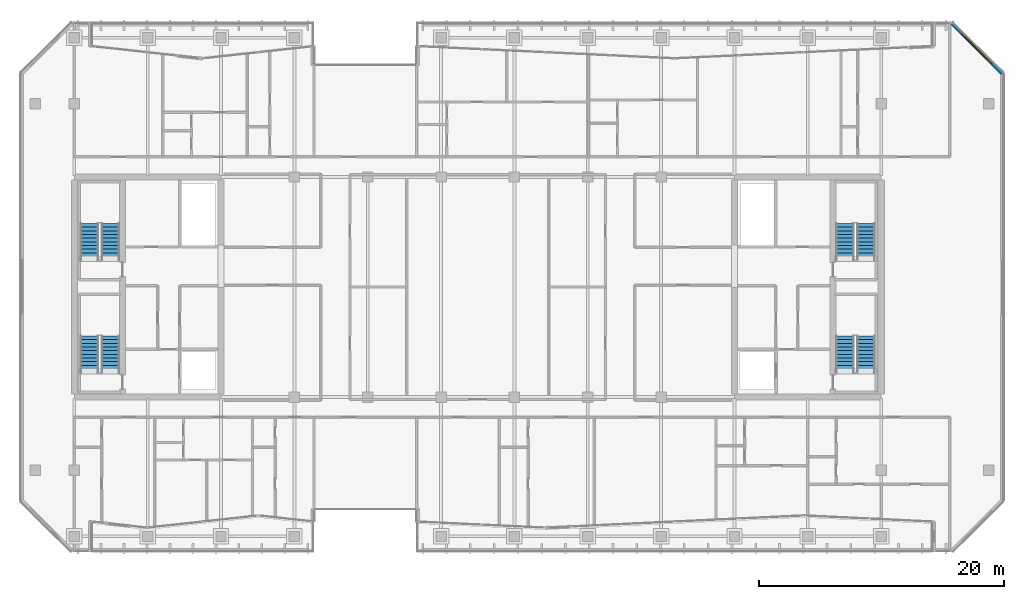
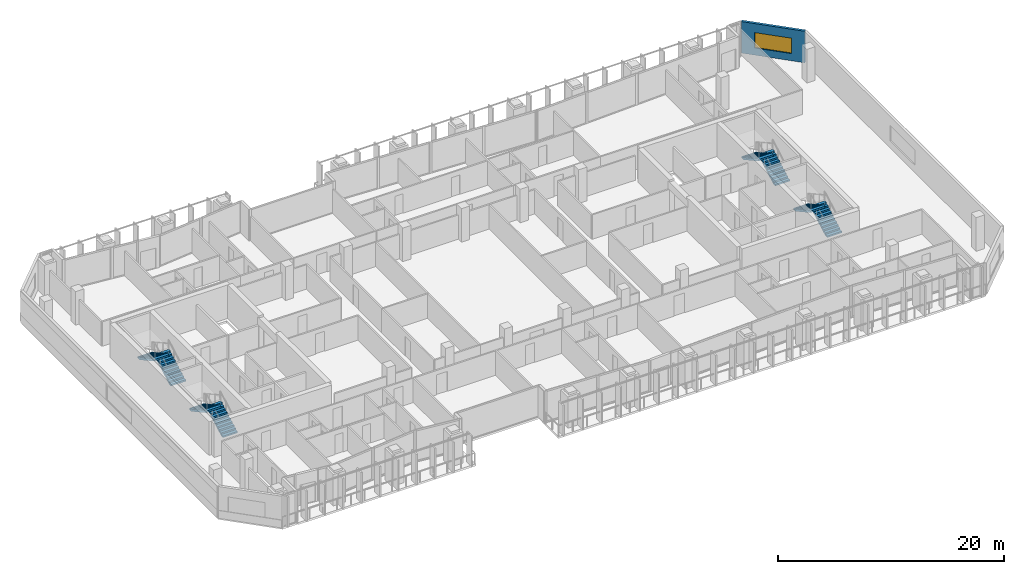
# One storey, part 23 of 28: 8 stair flights, 1 wall, 1 window, 1 opening, 4 elements without a shape of their own.
"""IFC4 building model written with IfcOpenShell, lengths in metres."""

from ifc_helpers import new_model, si_unit, direction, frame, frame_2d, origin, place, context, subcontext, project, spatial, polyline, rectangle, outline, extrude, material, layer, layer_set, type_object, element, fill, aggregate, save


model = new_model("IFC4")

# Units and contexts
model_context = context("Model", 3, precision=1e-05, world=origin(), true_north=direction((0.0, 1.0)))
body_context = subcontext(model_context, "Body", "Model", "MODEL_VIEW")
ifc_project = project(units=[si_unit("LENGTHUNIT", "METRE"), si_unit("AREAUNIT", "SQUARE_METRE"), si_unit("VOLUMEUNIT", "CUBIC_METRE"), si_unit("PLANEANGLEUNIT", "RADIAN"), si_unit("MASSUNIT", "GRAM", prefix="KILO")], contexts=[model_context])

# Site, building, storey
site_placement = place(None, origin())
site = spatial("IfcSite", under=ifc_project, at=site_placement, CompositionType="ELEMENT")
building_placement = place(site_placement, origin())
building = spatial("IfcBuilding", under=site, at=building_placement, Name="Tanjung Sevakor Pilgrim Tower", CompositionType="ELEMENT")
storey_placement = place(building_placement, frame((0.0, 0.0, 158.39990234375)))
storey = spatial("IfcBuildingStorey", under=building, at=storey_placement, Name="L44", CompositionType="ELEMENT", Elevation=158.39990234375)

# Wall, opening, window
ifc_material_1 = material(Name="Precast concrete C45/55", Category="concrete")
ifc_layer = layer(ifc_material_1, 0.25)
ifc_layer_set = layer_set([ifc_layer], Name="WT-EW-STN3")
wall_type = type_object("IfcWallType", Name="WT-EW-STN3", PredefinedType="SOLIDWALL", material=ifc_layer_set)
wall_placement = place(storey_placement, frame((99.875, 51.048095703125, 0.0), z_axis=(0.0, 0.0, 1.0), x_axis=(-0.70708586489, 0.707127696864, 0.0)))
wall = element("IfcWall", 1, at=wall_placement, inside=storey, type_object=wall_type, Name="L44 MAIN Sculpted Corner Wall 17", PredefinedType="SOLIDWALL", context=body_context, shape_type="SweptSolid", body=[
    extrude(rectangle(XDim=5.836181640625, YDim=0.25, at=frame_2d((2.91796875, 0.0))), origin(), (0.0, 0.0, 1.0), 3.409912109375),
])
opening_placement = place(wall_placement, frame((1.218017578125, 0.0, 0.780029296875)))
opening = element("IfcOpeningElement", 2, at=opening_placement, cuts=wall, Name="Opening WN-CHM-1660", PredefinedType="OPENING", context=body_context, shape_type="SweptSolid", body=[
    extrude(rectangle(XDim=3.39990234375, YDim=1.659912109375, at=frame_2d((1.699951171875, 0.830078125))), frame((0.0, 0.135009765625, 0.0), z_axis=(0.0, -1.0, 0.0), x_axis=(1.0, 0.0, 0.0)), (0.0, 0.0, 1.0), 0.27001953125),
])
ifc_material_2 = material(Name="Thermally Broken Aluminium and Low-E Glass", Category="aluminium")
window_type = type_object("IfcWindowType", Name="WTYP-WN-CHM-1660", PartitioningType="DOUBLE_PANEL_VERTICAL", PredefinedType="WINDOW", material=ifc_material_2)
window_placement = place(opening_placement, origin())
window = element("IfcWindow", 3, at=window_placement, inside=storey, type_object=window_type, Name="L44 Facade Window 01", OverallHeight=1.659912109375, OverallWidth=3.39990234375, PartitioningType="SINGLE_PANEL", PredefinedType="WINDOW", context=body_context, shape_type="SweptSolid", body=[
    extrude(rectangle(XDim=3.39990234375, YDim=1.659912109375, at=frame_2d((1.699951171875, 0.830078125))), frame((0.0, 0.030029296875, 0.0), z_axis=(0.0, -1.0, 0.0), x_axis=(1.0, 0.0, 0.0)), (0.0, 0.0, 1.0), 0.06005859375),
])
fill(opening, window)

# Stair, stair flights
ifc_material_3 = material(Name="Concrete C40/50", Category="concrete")
stair_type = type_object("IfcStairType", Name="STAIR-ST-CR150", PredefinedType="HALF_TURN_STAIR", material=ifc_material_3)
stair_1_placement = place(storey_placement, origin())
stair_1 = element("IfcStair", 4, at=stair_1_placement, inside=storey, type_object=stair_type, Name="L44 West Core Exit Stair 1", PredefinedType="HALF_TURN_STAIR")
ifc_material_4 = material(Name="Concrete C40/50", Category="concrete")
stair_flight_type = type_object("IfcStairFlightType", Name="FLIGHT-ST-CR150", PredefinedType="STRAIGHT", material=ifc_material_4)
stair_flight_1_placement = place(storey_placement, frame((26.949951171875, 26.60009765625, 0.0), z_axis=(0.0, 0.0, 1.0), x_axis=(0.0, 1.0, 0.0)))
stair_flight_1 = element("IfcStairFlight", 5, at=stair_flight_1_placement, type_object=stair_flight_type, Name="TS-W1 flight 1", NumberOfRisers=11, NumberOfTreads=10, PredefinedType="STRAIGHT", RiserHeight=0.165, TreadLength=0.3, context=body_context, shape_type="SweptSolid", body=[
    extrude(outline(polyline([(0.0, 0.0), (0.0, 0.1650390625), (0.300048828125, 0.1650390625), (0.300048828125, 0.330078125), (0.60009765625, 0.330078125), (0.60009765625, 0.4951171875), (0.89990234375, 0.4951171875), (0.89990234375, 0.659912109375), (1.199951171875, 0.659912109375), (1.199951171875, 0.824951171875), (1.5, 0.824951171875), (1.5, 0.989990234375), (1.800048828125, 0.989990234375), (1.800048828125, 1.155029296875), (2.10009765625, 1.155029296875), (2.10009765625, 1.320068359375), (2.39990234375, 1.320068359375), (2.39990234375, 1.485107421875), (2.699951171875, 1.485107421875), (2.699951171875, 1.64990234375), (3.0, 1.64990234375), (3.0, 1.81494140625), (3.0, 1.467529296875), (0.331787109375, 0.0), (0.0, 0.0)])), frame((0.0, 0.75, 0.0), z_axis=(0.0, -1.0, 0.0), x_axis=(1.0, 0.0, 0.0)), (0.0, 0.0, 1.0), 1.5),
])
stair_flight_2_placement = place(storey_placement, frame((25.25, 29.60009765625, 1.815185546875), z_axis=(0.0, 0.0, 1.0), x_axis=(0.0, -1.0, 0.0)))
stair_flight_2 = element("IfcStairFlight", 6, at=stair_flight_2_placement, type_object=stair_flight_type, Name="TS-W1 flight 2", NumberOfRisers=11, NumberOfTreads=10, PredefinedType="STRAIGHT", RiserHeight=0.165, TreadLength=0.3, context=body_context, shape_type="SweptSolid", body=[
    extrude(outline(polyline([(0.0, 0.0), (0.0, 0.1650390625), (0.300048828125, 0.1650390625), (0.300048828125, 0.330078125), (0.60009765625, 0.330078125), (0.60009765625, 0.4951171875), (0.89990234375, 0.4951171875), (0.89990234375, 0.659912109375), (1.199951171875, 0.659912109375), (1.199951171875, 0.824951171875), (1.5, 0.824951171875), (1.5, 0.989990234375), (1.800048828125, 0.989990234375), (1.800048828125, 1.155029296875), (2.10009765625, 1.155029296875), (2.10009765625, 1.320068359375), (2.39990234375, 1.320068359375), (2.39990234375, 1.485107421875), (2.699951171875, 1.485107421875), (2.699951171875, 1.64990234375), (3.0, 1.64990234375), (3.0, 1.81494140625), (3.0, 1.467529296875), (0.331787109375, 0.0), (0.0, 0.0)])), frame((0.0, 0.75, 0.0), z_axis=(0.0, -1.0, 0.0), x_axis=(1.0, 0.0, 0.0)), (0.0, 0.0, 1.0), 1.5),
])
aggregate(stair_1, [stair_flight_1, stair_flight_2])

stair_2_placement = place(storey_placement, origin())
stair_2 = element("IfcStair", 7, at=stair_2_placement, inside=storey, type_object=stair_type, Name="L44 West Core Exit Stair 2", PredefinedType="HALF_TURN_STAIR")
stair_flight_3_placement = place(storey_placement, frame((26.949951171875, 35.800048828125, 0.0), z_axis=(0.0, 0.0, 1.0), x_axis=(0.0, 1.0, 0.0)))
stair_flight_3 = element("IfcStairFlight", 8, at=stair_flight_3_placement, type_object=stair_flight_type, Name="TS-W2 flight 1", NumberOfRisers=11, NumberOfTreads=10, PredefinedType="STRAIGHT", RiserHeight=0.165, TreadLength=0.3, context=body_context, shape_type="SweptSolid", body=[
    extrude(outline(polyline([(0.0, 0.0), (0.0, 0.1650390625), (0.300048828125, 0.1650390625), (0.300048828125, 0.330078125), (0.60009765625, 0.330078125), (0.60009765625, 0.4951171875), (0.89990234375, 0.4951171875), (0.89990234375, 0.659912109375), (1.199951171875, 0.659912109375), (1.199951171875, 0.824951171875), (1.5, 0.824951171875), (1.5, 0.989990234375), (1.800048828125, 0.989990234375), (1.800048828125, 1.155029296875), (2.10009765625, 1.155029296875), (2.10009765625, 1.320068359375), (2.39990234375, 1.320068359375), (2.39990234375, 1.485107421875), (2.699951171875, 1.485107421875), (2.699951171875, 1.64990234375), (3.0, 1.64990234375), (3.0, 1.81494140625), (3.0, 1.467529296875), (0.331787109375, 0.0), (0.0, 0.0)])), frame((0.0, 0.75, 0.0), z_axis=(0.0, -1.0, 0.0), x_axis=(1.0, 0.0, 0.0)), (0.0, 0.0, 1.0), 1.5),
])
stair_flight_4_placement = place(storey_placement, frame((25.25, 38.800048828125, 1.815185546875), z_axis=(0.0, 0.0, 1.0), x_axis=(0.0, -1.0, 0.0)))
stair_flight_4 = element("IfcStairFlight", 9, at=stair_flight_4_placement, type_object=stair_flight_type, Name="TS-W2 flight 2", NumberOfRisers=11, NumberOfTreads=10, PredefinedType="STRAIGHT", RiserHeight=0.165, TreadLength=0.3, context=body_context, shape_type="SweptSolid", body=[
    extrude(outline(polyline([(0.0, 0.0), (0.0, 0.1650390625), (0.300048828125, 0.1650390625), (0.300048828125, 0.330078125), (0.60009765625, 0.330078125), (0.60009765625, 0.4951171875), (0.89990234375, 0.4951171875), (0.89990234375, 0.659912109375), (1.199951171875, 0.659912109375), (1.199951171875, 0.824951171875), (1.5, 0.824951171875), (1.5, 0.989990234375), (1.800048828125, 0.989990234375), (1.800048828125, 1.155029296875), (2.10009765625, 1.155029296875), (2.10009765625, 1.320068359375), (2.39990234375, 1.320068359375), (2.39990234375, 1.485107421875), (2.699951171875, 1.485107421875), (2.699951171875, 1.64990234375), (3.0, 1.64990234375), (3.0, 1.81494140625), (3.0, 1.467529296875), (0.331787109375, 0.0), (0.0, 0.0)])), frame((0.0, 0.75, 0.0), z_axis=(0.0, -1.0, 0.0), x_axis=(1.0, 0.0, 0.0)), (0.0, 0.0, 1.0), 1.5),
])
aggregate(stair_2, [stair_flight_3, stair_flight_4])

stair_3_placement = place(storey_placement, origin())
stair_3 = element("IfcStair", 10, at=stair_3_placement, inside=storey, type_object=stair_type, Name="L44 East Core Exit Stair 1", PredefinedType="HALF_TURN_STAIR")
stair_flight_5_placement = place(storey_placement, frame((88.75, 26.60009765625, 0.0), z_axis=(0.0, 0.0, 1.0), x_axis=(0.0, 1.0, 0.0)))
stair_flight_5 = element("IfcStairFlight", 11, at=stair_flight_5_placement, type_object=stair_flight_type, Name="TS-E1 flight 1", NumberOfRisers=11, NumberOfTreads=10, PredefinedType="STRAIGHT", RiserHeight=0.165, TreadLength=0.3, context=body_context, shape_type="SweptSolid", body=[
    extrude(outline(polyline([(0.0, 0.0), (0.0, 0.1650390625), (0.300048828125, 0.1650390625), (0.300048828125, 0.330078125), (0.60009765625, 0.330078125), (0.60009765625, 0.4951171875), (0.89990234375, 0.4951171875), (0.89990234375, 0.659912109375), (1.199951171875, 0.659912109375), (1.199951171875, 0.824951171875), (1.5, 0.824951171875), (1.5, 0.989990234375), (1.800048828125, 0.989990234375), (1.800048828125, 1.155029296875), (2.10009765625, 1.155029296875), (2.10009765625, 1.320068359375), (2.39990234375, 1.320068359375), (2.39990234375, 1.485107421875), (2.699951171875, 1.485107421875), (2.699951171875, 1.64990234375), (3.0, 1.64990234375), (3.0, 1.81494140625), (3.0, 1.467529296875), (0.331787109375, 0.0), (0.0, 0.0)])), frame((0.0, 0.75, 0.0), z_axis=(0.0, -1.0, 0.0), x_axis=(1.0, 0.0, 0.0)), (0.0, 0.0, 1.0), 1.5),
])
stair_flight_6_placement = place(storey_placement, frame((87.050048828125, 29.60009765625, 1.815185546875), z_axis=(0.0, 0.0, 1.0), x_axis=(0.0, -1.0, 0.0)))
stair_flight_6 = element("IfcStairFlight", 12, at=stair_flight_6_placement, type_object=stair_flight_type, Name="TS-E1 flight 2", NumberOfRisers=11, NumberOfTreads=10, PredefinedType="STRAIGHT", RiserHeight=0.165, TreadLength=0.3, context=body_context, shape_type="SweptSolid", body=[
    extrude(outline(polyline([(0.0, 0.0), (0.0, 0.1650390625), (0.300048828125, 0.1650390625), (0.300048828125, 0.330078125), (0.60009765625, 0.330078125), (0.60009765625, 0.4951171875), (0.89990234375, 0.4951171875), (0.89990234375, 0.659912109375), (1.199951171875, 0.659912109375), (1.199951171875, 0.824951171875), (1.5, 0.824951171875), (1.5, 0.989990234375), (1.800048828125, 0.989990234375), (1.800048828125, 1.155029296875), (2.10009765625, 1.155029296875), (2.10009765625, 1.320068359375), (2.39990234375, 1.320068359375), (2.39990234375, 1.485107421875), (2.699951171875, 1.485107421875), (2.699951171875, 1.64990234375), (3.0, 1.64990234375), (3.0, 1.81494140625), (3.0, 1.467529296875), (0.331787109375, 0.0), (0.0, 0.0)])), frame((0.0, 0.75, 0.0), z_axis=(0.0, -1.0, 0.0), x_axis=(1.0, 0.0, 0.0)), (0.0, 0.0, 1.0), 1.5),
])
aggregate(stair_3, [stair_flight_5, stair_flight_6])

stair_4_placement = place(storey_placement, origin())
stair_4 = element("IfcStair", 13, at=stair_4_placement, inside=storey, type_object=stair_type, Name="L44 East Core Exit Stair 2", PredefinedType="HALF_TURN_STAIR")
stair_flight_7_placement = place(storey_placement, frame((88.75, 35.800048828125, 0.0), z_axis=(0.0, 0.0, 1.0), x_axis=(0.0, 1.0, 0.0)))
stair_flight_7 = element("IfcStairFlight", 14, at=stair_flight_7_placement, type_object=stair_flight_type, Name="TS-E2 flight 1", NumberOfRisers=11, NumberOfTreads=10, PredefinedType="STRAIGHT", RiserHeight=0.165, TreadLength=0.3, context=body_context, shape_type="SweptSolid", body=[
    extrude(outline(polyline([(0.0, 0.0), (0.0, 0.1650390625), (0.300048828125, 0.1650390625), (0.300048828125, 0.330078125), (0.60009765625, 0.330078125), (0.60009765625, 0.4951171875), (0.89990234375, 0.4951171875), (0.89990234375, 0.659912109375), (1.199951171875, 0.659912109375), (1.199951171875, 0.824951171875), (1.5, 0.824951171875), (1.5, 0.989990234375), (1.800048828125, 0.989990234375), (1.800048828125, 1.155029296875), (2.10009765625, 1.155029296875), (2.10009765625, 1.320068359375), (2.39990234375, 1.320068359375), (2.39990234375, 1.485107421875), (2.699951171875, 1.485107421875), (2.699951171875, 1.64990234375), (3.0, 1.64990234375), (3.0, 1.81494140625), (3.0, 1.467529296875), (0.331787109375, 0.0), (0.0, 0.0)])), frame((0.0, 0.75, 0.0), z_axis=(0.0, -1.0, 0.0), x_axis=(1.0, 0.0, 0.0)), (0.0, 0.0, 1.0), 1.5),
])
stair_flight_8_placement = place(storey_placement, frame((87.050048828125, 38.800048828125, 1.815185546875), z_axis=(0.0, 0.0, 1.0), x_axis=(0.0, -1.0, 0.0)))
stair_flight_8 = element("IfcStairFlight", 15, at=stair_flight_8_placement, type_object=stair_flight_type, Name="TS-E2 flight 2", NumberOfRisers=11, NumberOfTreads=10, PredefinedType="STRAIGHT", RiserHeight=0.165, TreadLength=0.3, context=body_context, shape_type="SweptSolid", body=[
    extrude(outline(polyline([(0.0, 0.0), (0.0, 0.1650390625), (0.300048828125, 0.1650390625), (0.300048828125, 0.330078125), (0.60009765625, 0.330078125), (0.60009765625, 0.4951171875), (0.89990234375, 0.4951171875), (0.89990234375, 0.659912109375), (1.199951171875, 0.659912109375), (1.199951171875, 0.824951171875), (1.5, 0.824951171875), (1.5, 0.989990234375), (1.800048828125, 0.989990234375), (1.800048828125, 1.155029296875), (2.10009765625, 1.155029296875), (2.10009765625, 1.320068359375), (2.39990234375, 1.320068359375), (2.39990234375, 1.485107421875), (2.699951171875, 1.485107421875), (2.699951171875, 1.64990234375), (3.0, 1.64990234375), (3.0, 1.81494140625), (3.0, 1.467529296875), (0.331787109375, 0.0), (0.0, 0.0)])), frame((0.0, 0.75, 0.0), z_axis=(0.0, -1.0, 0.0), x_axis=(1.0, 0.0, 0.0)), (0.0, 0.0, 1.0), 1.5),
])
aggregate(stair_4, [stair_flight_7, stair_flight_8])

save(model, "model.ifc")
